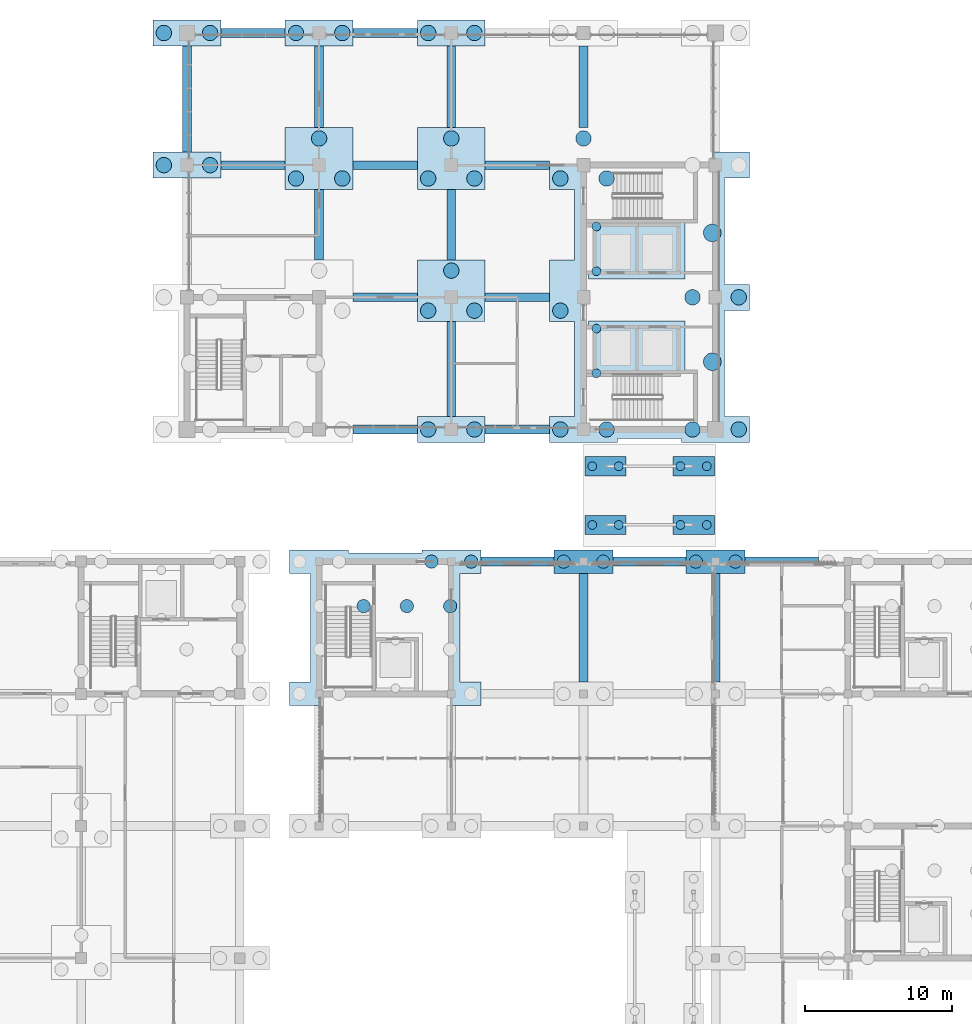
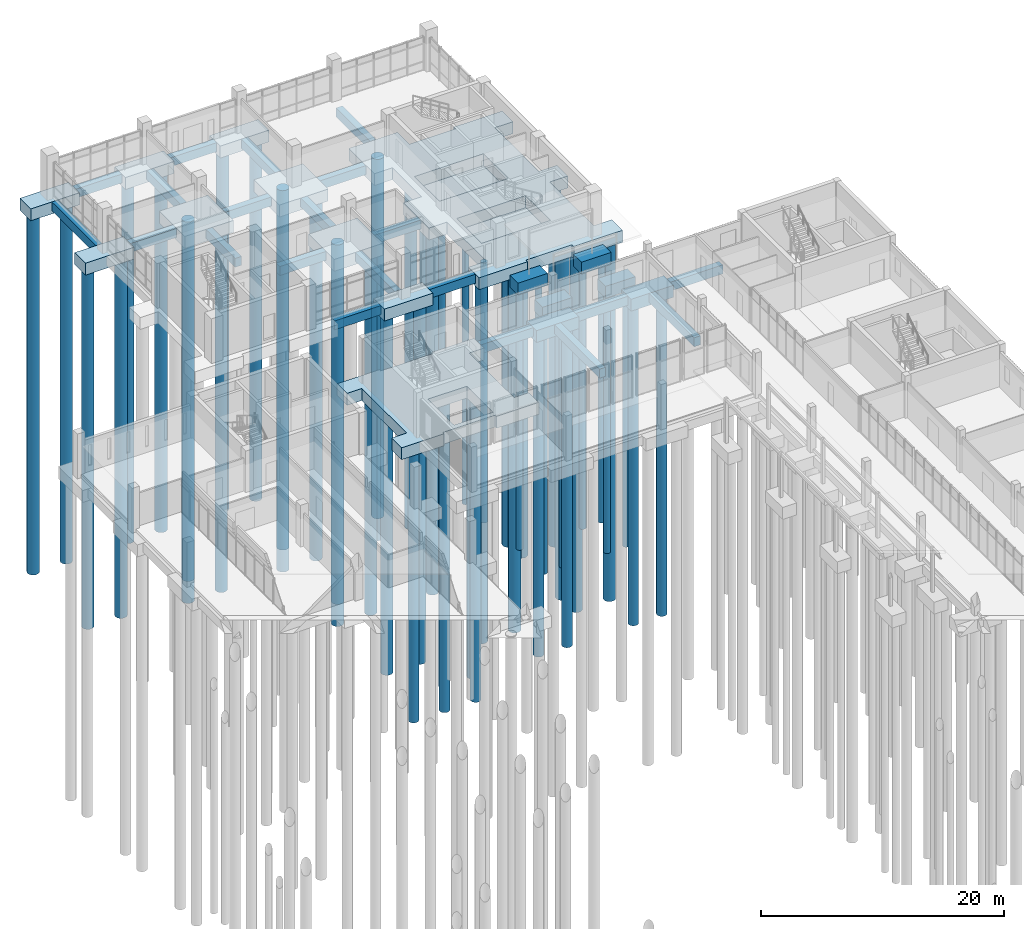
# One storey, part 7 of 106: 52 piles, 39 footings.
"""IFC4 building model written with IfcOpenShell, lengths in metres."""

from ifc_helpers import new_model, si_unit, direction, frame, origin, origin_2d, place, context, subcontext, project, spatial, polyline, circle, outline, extrude, material, material_profile, profile_set, type_object, element, save


model = new_model("IFC4")

# Units and contexts
model_context = context("Model", 3, precision=1e-05, world=origin(), true_north=direction((0.0, 1.0)))
body_context = subcontext(model_context, "Body", "Model", "MODEL_VIEW")
ifc_project = project(units=[si_unit("LENGTHUNIT", "METRE"), si_unit("AREAUNIT", "SQUARE_METRE"), si_unit("VOLUMEUNIT", "CUBIC_METRE"), si_unit("PLANEANGLEUNIT", "RADIAN"), si_unit("MASSUNIT", "GRAM", prefix="KILO")], contexts=[model_context])

# Site, building, storey
site_placement = place(None, origin())
site = spatial("IfcSite", under=ifc_project, at=site_placement, CompositionType="ELEMENT")
building_placement = place(site_placement, origin())
building = spatial("IfcBuilding", under=site, at=building_placement, Name="Merrow Basin Faculty of Sciences", CompositionType="ELEMENT")
storey_placement = place(building_placement, origin())
storey = spatial("IfcBuildingStorey", under=building, at=storey_placement, Name="L00", CompositionType="ELEMENT", Elevation=0.0)

# Piles
ifc_material_1 = material(Name="Concrete C40/50", Category="concrete")
ifc_material_profile_1 = material_profile(ifc_material_1, circle(Radius=0.52490234375, at=origin_2d()))
ifc_profile_set_1 = profile_set([ifc_material_profile_1], Name="Concrete C40/50")
pile_type_1 = type_object("IfcPileType", Name="Bored pile 1050 Concrete C40/50", PredefinedType="BORED", material=ifc_profile_set_1)
for number, where, z_axis, x_axis, name in (
    (1, (16.425048828125, 160.0, -1.39990234375), (0.0, 0.0, -1.0), (1.0, 0.0, 0.0), "BP 145"),
    (2, (16.425048828125, 169.0, -1.39990234375), (0.0, 0.0, -1.0), (1.0, 0.0, 0.0), "BP 146"),
    (3, (19.574951171875, 160.0, -1.39990234375), (0.0, 0.0, -1.0), (1.0, 0.0, 0.0), "BP 166"),
    (4, (19.574951171875, 169.0, -1.39990234375), (0.0, 0.0, -1.0), (1.0, 0.0, 0.0), "BP 167"),
    (5, (25.425048828125, 159.091064453125, -1.39990234375), (0.0, 0.0, -1.0), (1.0, 0.0, 0.0), "BP 217"),
    (6, (25.425048828125, 169.0, -1.39990234375), (0.0, 0.0, -1.0), (1.0, 0.0, 0.0), "BP 218"),
    (7, (27.0, 161.819091796875, -1.39990234375), (0.0, 0.0, -1.0), (1.0, 0.0, 0.0), "BP 230"),
    (8, (28.574951171875, 159.091064453125, -1.39990234375), (0.0, 0.0, -1.0), (1.0, 0.0, 0.0), "BP 247"),
    (9, (28.574951171875, 169.0, -1.39990234375), (0.0, 0.0, -1.0), (1.0, 0.0, 0.0), "BP 248"),
    (10, (34.425048828125, 142.0, -1.39990234375), (0.0, 0.0, -1.0), (1.0, 0.0, 0.0), "BP 272"),
    (11, (34.425048828125, 150.091064453125, -1.39990234375), (0.0, 0.0, -1.0), (1.0, 0.0, 0.0), "BP 273"),
    (12, (34.425048828125, 159.091064453125, -1.39990234375), (0.0, 0.0, -1.0), (1.0, 0.0, 0.0), "BP 274"),
    (13, (34.425048828125, 169.0, -1.39990234375), (0.0, 0.0, -1.0), (1.0, 0.0, 0.0), "BP 275"),
    (14, (36.0, 152.819091796875, -1.39990234375), (0.0, 0.0, -1.0), (1.0, 0.0, 0.0), "BP 300"),
    (15, (36.0, 161.819091796875, -1.39990234375), (0.0, 0.0, -1.0), (1.0, 0.0, 0.0), "BP 301"),
    (16, (37.574951171875, 142.0, -1.39990234375), (0.0, 0.0, -1.0), (1.0, 0.0, 0.0), "BP 305"),
    (17, (37.574951171875, 150.091064453125, -1.39990234375), (0.0, 0.0, -1.0), (1.0, 0.0, 0.0), "BP 306"),
    (18, (37.574951171875, 159.091064453125, -1.39990234375), (0.0, 0.0, -1.0), (1.0, 0.0, 0.0), "BP 307"),
    (19, (37.574951171875, 169.0, -1.39990234375), (0.0, 0.0, -1.0), (1.0, 0.0, 0.0), "BP 308"),
    (20, (43.425048828125, 142.0, -1.39990234375), (0.0, 0.0, -1.0), (1.0, 0.0, 0.0), "BP 323"),
    (21, (43.425048828125, 150.091064453125, -1.39990234375), (0.0, 0.0, -1.0), (1.0, 0.0, 0.0), "BP 324"),
    (22, (43.425048828125, 159.091064453125, -1.39990234375), (0.0, 0.0, -1.0), (1.0, 0.0, 0.0), "BP 325"),
    (23, (45.0, 161.819091796875, -1.39990234375), (0.0, 0.0, -1.0), (1.0, 0.0, 0.0), "BP 352"),
    (24, (46.574951171875, 142.0, -1.39990234375), (0.0, 0.0, -1.0), (1.0, 0.0, 0.0), "BP 358"),
    (25, (46.574951171875, 159.091064453125, -1.39990234375), (0.0, 0.0, -1.0), (1.0, 0.0, 0.0), "BP 359"),
    (26, (52.425048828125, 142.0, -1.39990234375), (0.0, 0.0, -1.0), (1.0, 0.0, 0.0), "BP 383"),
    (27, (52.425048828125, 151.0, -1.39990234375), (0.0, 0.0, -1.0), (1.0, 0.0, 0.0), "BP 384"),
    (28, (55.574951171875, 142.0, -1.39990234375), (0.0, 0.0, -1.0), (1.0, 0.0, 0.0), "BP 432"),
    (29, (55.574951171875, 151.0, -1.39990234375), (0.0, 0.0, -1.0), (1.0, 0.0, 0.0), "BP 433"),
):
    element("IfcPile", number, at=place(storey_placement, frame(where, z_axis=z_axis, x_axis=x_axis)), inside=storey, type_object=pile_type_1, Name=name, PredefinedType="BORED", context=body_context, shape_type="SweptSolid", body=[
        extrude(circle(Radius=0.52490234375, at=origin_2d()), origin(), (0.0, 0.0, 1.0), 36.10009765625),
    ])
ifc_material_2 = material(Name="Concrete C40/50", Category="concrete")
ifc_material_profile_2 = material_profile(ifc_material_2, circle(Radius=0.60009765625, at=origin_2d()))
ifc_profile_set_2 = profile_set([ifc_material_profile_2], Name="Concrete C40/50")
pile_type_2 = type_object("IfcPileType", Name="Bored pile 1200 Concrete C40/50", PredefinedType="BORED", material=ifc_profile_set_2)
for number, where, z_axis, x_axis, name in (
    (30, (53.77001953125, 146.614990234375, -1.39990234375), (0.0, 0.0, -1.0), (1.0, 0.0, 0.0), "BP 414"),
    (31, (53.77001953125, 155.385009765625, -1.39990234375), (0.0, 0.0, -1.0), (1.0, 0.0, 0.0), "BP 415"),
):
    element("IfcPile", number, at=place(storey_placement, frame(where, z_axis=z_axis, x_axis=x_axis)), inside=storey, type_object=pile_type_2, Name=name, PredefinedType="BORED", context=body_context, shape_type="SweptSolid", body=[
        extrude(circle(Radius=0.60009765625, at=origin_2d()), origin(), (0.0, 0.0, 1.0), 38.10009765625),
    ])
ifc_material_3 = material(Name="Concrete C40/50", Category="concrete")
ifc_material_profile_3 = material_profile(ifc_material_3, circle(Radius=0.300048828125, at=origin_2d()))
ifc_profile_set_3 = profile_set([ifc_material_profile_3], Name="Concrete C40/50")
pile_type_3 = type_object("IfcPileType", Name="Bored pile 600 Concrete C40/50", PredefinedType="BORED", material=ifc_profile_set_3)
for number, where, z_axis, x_axis, name in (
    (32, (45.60009765625, 135.5, -1.39990234375), (0.0, 0.0, -1.0), (1.0, 0.0, 0.0), "BP 353"),
    (33, (45.60009765625, 139.5, -1.39990234375), (0.0, 0.0, -1.0), (1.0, 0.0, 0.0), "BP 354"),
    (34, (47.39990234375, 135.5, -1.39990234375), (0.0, 0.0, -1.0), (1.0, 0.0, 0.0), "BP 361"),
    (35, (47.39990234375, 139.5, -1.39990234375), (0.0, 0.0, -1.0), (1.0, 0.0, 0.0), "BP 362"),
    (36, (51.60009765625, 135.5, -1.39990234375), (0.0, 0.0, -1.0), (1.0, 0.0, 0.0), "BP 381"),
    (37, (51.60009765625, 139.5, -1.39990234375), (0.0, 0.0, -1.0), (1.0, 0.0, 0.0), "BP 382"),
    (38, (53.39990234375, 135.5, -1.39990234375), (0.0, 0.0, -1.0), (1.0, 0.0, 0.0), "BP 412"),
    (39, (53.39990234375, 139.5, -1.39990234375), (0.0, 0.0, -1.0), (1.0, 0.0, 0.0), "BP 413"),
    (40, (45.8798828125, 145.830078125, -2.60009765625), (0.0, 0.0, -1.0), (1.0, 0.0, 0.0), "BP pit 528"),
    (41, (45.8798828125, 148.8701171875, -2.60009765625), (0.0, 0.0, -1.0), (1.0, 0.0, 0.0), "BP pit 529"),
    (42, (45.8798828125, 152.780029296875, -2.60009765625), (0.0, 0.0, -1.0), (1.0, 0.0, 0.0), "BP pit 530"),
    (43, (45.8798828125, 155.820068359375, -2.60009765625), (0.0, 0.0, -1.0), (1.0, 0.0, 0.0), "BP pit 531"),
):
    element("IfcPile", number, at=place(storey_placement, frame(where, z_axis=z_axis, x_axis=x_axis)), inside=storey, type_object=pile_type_3, Name=name, PredefinedType="BORED", context=body_context, shape_type="SweptSolid", body=[
        extrude(circle(Radius=0.300048828125, at=origin_2d()), origin(), (0.0, 0.0, 1.0), 26.10009765625),
    ])
ifc_material_4 = material(Name="Concrete C40/50", Category="concrete")
ifc_material_profile_4 = material_profile(ifc_material_4, circle(Radius=0.449951171875, at=origin_2d()))
ifc_profile_set_4 = profile_set([ifc_material_profile_4], Name="Concrete C40/50")
pile_type_4 = type_object("IfcPileType", Name="Bored pile 900 Concrete C40/50", PredefinedType="BORED", material=ifc_profile_set_4)
for number, where, z_axis, x_axis, name in (
    (44, (30.027099609375, 129.972900390625, -1.39990234375), (0.0, 0.0, -1.0), (1.0, 0.0, 0.0), "BP 253"),
    (45, (32.972900390625, 129.972900390625, -1.39990234375), (0.0, 0.0, -1.0), (1.0, 0.0, 0.0), "BP 269"),
    (46, (34.64990234375, 133.0, -1.39990234375), (0.0, 0.0, -1.0), (1.0, 0.0, 0.0), "BP 277"),
    (47, (35.919921875, 129.972900390625, -1.39990234375), (0.0, 0.0, -1.0), (1.0, 0.0, 0.0), "BP 299"),
    (48, (37.35009765625, 133.0, -1.39990234375), (0.0, 0.0, -1.0), (1.0, 0.0, 0.0), "BP 304"),
    (49, (43.64990234375, 133.0, -1.39990234375), (0.0, 0.0, -1.0), (1.0, 0.0, 0.0), "BP 340"),
    (50, (46.35009765625, 133.0, -1.39990234375), (0.0, 0.0, -1.0), (1.0, 0.0, 0.0), "BP 357"),
    (51, (52.64990234375, 133.0, -1.39990234375), (0.0, 0.0, -1.0), (1.0, 0.0, 0.0), "BP 407"),
    (52, (55.35009765625, 133.0, -1.39990234375), (0.0, 0.0, -1.0), (1.0, 0.0, 0.0), "BP 431"),
):
    element("IfcPile", number, at=place(storey_placement, frame(where, z_axis=z_axis, x_axis=x_axis)), inside=storey, type_object=pile_type_4, Name=name, PredefinedType="BORED", context=body_context, shape_type="SweptSolid", body=[
        extrude(circle(Radius=0.449951171875, at=origin_2d()), origin(), (0.0, 0.0, 1.0), 32.10009765625),
    ])

# Footings
ifc_material_5 = material(Name="Concrete C40/50", Category="concrete")
footing_type_1 = type_object("IfcFootingType", Name="Ground beam 600x900 Concrete C40/50", PredefinedType="FOOTING_BEAM", material=ifc_material_5)
footing_1_placement = place(storey_placement, frame((0.0, 0.0, -1.199951171875)))
element("IfcFooting", 53, at=footing_1_placement, inside=storey, type_object=footing_type_1, Name="GB 048", PredefinedType="FOOTING_BEAM", context=body_context, shape_type="SweptSolid", body=[
    extrude(outline(polyline([(38.010009765625, 132.699951171875), (42.989990234375, 132.699951171875), (42.989990234375, 133.300048828125), (38.010009765625, 133.300048828125), (38.010009765625, 132.699951171875)])), origin(), (0.0, 0.0, 1.0), 0.89990234375),
])
footing_2_placement = place(storey_placement, frame((0.0, 0.0, -1.199951171875)))
element("IfcFooting", 54, at=footing_2_placement, inside=storey, type_object=footing_type_1, Name="GB 049", PredefinedType="FOOTING_BEAM", context=body_context, shape_type="SweptSolid", body=[
    extrude(outline(polyline([(47.010009765625, 132.699951171875), (51.989990234375, 132.699951171875), (51.989990234375, 133.300048828125), (47.010009765625, 133.300048828125), (47.010009765625, 132.699951171875)])), origin(), (0.0, 0.0, 1.0), 0.89990234375),
])
footing_3_placement = place(storey_placement, frame((0.0, 0.0, -1.199951171875)))
element("IfcFooting", 55, at=footing_3_placement, inside=storey, type_object=footing_type_1, Name="GB 050", PredefinedType="FOOTING_BEAM", context=body_context, shape_type="SweptSolid", body=[
    extrude(outline(polyline([(56.010009765625, 132.699951171875), (60.989990234375, 132.699951171875), (60.989990234375, 133.300048828125), (56.010009765625, 133.300048828125), (56.010009765625, 132.699951171875)])), origin(), (0.0, 0.0, 1.0), 0.89990234375),
])
footing_4_placement = place(storey_placement, frame((0.0, 0.0, -1.199951171875)))
element("IfcFooting", 56, at=footing_4_placement, inside=storey, type_object=footing_type_1, Name="GB 054", PredefinedType="FOOTING_BEAM", context=body_context, shape_type="SweptSolid", body=[
    extrude(outline(polyline([(44.699951171875, 124.81005859375), (45.300048828125, 124.81005859375), (45.300048828125, 132.18994140625), (44.699951171875, 132.18994140625), (44.699951171875, 124.81005859375)])), origin(), (0.0, 0.0, 1.0), 0.89990234375),
])
footing_5_placement = place(storey_placement, frame((0.0, 0.0, -1.199951171875)))
element("IfcFooting", 57, at=footing_5_placement, inside=storey, type_object=footing_type_1, Name="GB 062", PredefinedType="FOOTING_BEAM", context=body_context, shape_type="SweptSolid", body=[
    extrude(outline(polyline([(53.699951171875, 124.81005859375), (54.300048828125, 124.81005859375), (54.300048828125, 132.18994140625), (53.699951171875, 132.18994140625), (53.699951171875, 124.81005859375)])), origin(), (0.0, 0.0, 1.0), 0.89990234375),
])
footing_6_placement = place(storey_placement, frame((0.0, 0.0, -1.199951171875)))
element("IfcFooting", 58, at=footing_6_placement, inside=storey, type_object=footing_type_1, Name="GB 102", PredefinedType="FOOTING_BEAM", context=body_context, shape_type="SweptSolid", body=[
    extrude(outline(polyline([(29.31005859375, 141.699951171875), (33.68994140625, 141.699951171875), (33.68994140625, 142.300048828125), (29.31005859375, 142.300048828125), (29.31005859375, 141.699951171875)])), origin(), (0.0, 0.0, 1.0), 0.89990234375),
])
footing_7_placement = place(storey_placement, frame((0.0, 0.0, -1.199951171875)))
element("IfcFooting", 59, at=footing_7_placement, inside=storey, type_object=footing_type_1, Name="GB 103", PredefinedType="FOOTING_BEAM", context=body_context, shape_type="SweptSolid", body=[
    extrude(outline(polyline([(38.31005859375, 141.699951171875), (42.68994140625, 141.699951171875), (42.68994140625, 142.300048828125), (38.31005859375, 142.300048828125), (38.31005859375, 141.699951171875)])), origin(), (0.0, 0.0, 1.0), 0.89990234375),
])
footing_8_placement = place(storey_placement, frame((0.0, 0.0, -1.199951171875)))
element("IfcFooting", 60, at=footing_8_placement, inside=storey, type_object=footing_type_1, Name="GB 104", PredefinedType="FOOTING_BEAM", context=body_context, shape_type="SweptSolid", body=[
    extrude(outline(polyline([(29.31005859375, 150.699951171875), (33.68994140625, 150.699951171875), (33.68994140625, 151.300048828125), (29.31005859375, 151.300048828125), (29.31005859375, 150.699951171875)])), origin(), (0.0, 0.0, 1.0), 0.89990234375),
])
footing_9_placement = place(storey_placement, frame((0.0, 0.0, -1.199951171875)))
element("IfcFooting", 61, at=footing_9_placement, inside=storey, type_object=footing_type_1, Name="GB 105", PredefinedType="FOOTING_BEAM", context=body_context, shape_type="SweptSolid", body=[
    extrude(outline(polyline([(38.31005859375, 150.699951171875), (42.68994140625, 150.699951171875), (42.68994140625, 151.300048828125), (38.31005859375, 151.300048828125), (38.31005859375, 150.699951171875)])), origin(), (0.0, 0.0, 1.0), 0.89990234375),
])
footing_10_placement = place(storey_placement, frame((0.0, 0.0, -1.199951171875)))
element("IfcFooting", 62, at=footing_10_placement, inside=storey, type_object=footing_type_1, Name="GB 106", PredefinedType="FOOTING_BEAM", context=body_context, shape_type="SweptSolid", body=[
    extrude(outline(polyline([(20.31005859375, 159.699951171875), (24.68994140625, 159.699951171875), (24.68994140625, 160.300048828125), (20.31005859375, 160.300048828125), (20.31005859375, 159.699951171875)])), origin(), (0.0, 0.0, 1.0), 0.89990234375),
])
footing_11_placement = place(storey_placement, frame((0.0, 0.0, -1.199951171875)))
element("IfcFooting", 63, at=footing_11_placement, inside=storey, type_object=footing_type_1, Name="GB 107", PredefinedType="FOOTING_BEAM", context=body_context, shape_type="SweptSolid", body=[
    extrude(outline(polyline([(29.31005859375, 159.699951171875), (33.68994140625, 159.699951171875), (33.68994140625, 160.300048828125), (29.31005859375, 160.300048828125), (29.31005859375, 159.699951171875)])), origin(), (0.0, 0.0, 1.0), 0.89990234375),
])
footing_12_placement = place(storey_placement, frame((0.0, 0.0, -1.199951171875)))
element("IfcFooting", 64, at=footing_12_placement, inside=storey, type_object=footing_type_1, Name="GB 108", PredefinedType="FOOTING_BEAM", context=body_context, shape_type="SweptSolid", body=[
    extrude(outline(polyline([(38.31005859375, 159.699951171875), (42.68994140625, 159.699951171875), (42.68994140625, 160.300048828125), (38.31005859375, 160.300048828125), (38.31005859375, 159.699951171875)])), origin(), (0.0, 0.0, 1.0), 0.89990234375),
])
footing_13_placement = place(storey_placement, frame((0.0, 0.0, -1.199951171875)))
element("IfcFooting", 65, at=footing_13_placement, inside=storey, type_object=footing_type_1, Name="GB 109", PredefinedType="FOOTING_BEAM", context=body_context, shape_type="SweptSolid", body=[
    extrude(outline(polyline([(20.31005859375, 168.699951171875), (24.68994140625, 168.699951171875), (24.68994140625, 169.300048828125), (20.31005859375, 169.300048828125), (20.31005859375, 168.699951171875)])), origin(), (0.0, 0.0, 1.0), 0.89990234375),
])
footing_14_placement = place(storey_placement, frame((0.0, 0.0, -1.199951171875)))
element("IfcFooting", 66, at=footing_14_placement, inside=storey, type_object=footing_type_1, Name="GB 110", PredefinedType="FOOTING_BEAM", context=body_context, shape_type="SweptSolid", body=[
    extrude(outline(polyline([(29.31005859375, 168.699951171875), (33.68994140625, 168.699951171875), (33.68994140625, 169.300048828125), (29.31005859375, 169.300048828125), (29.31005859375, 168.699951171875)])), origin(), (0.0, 0.0, 1.0), 0.89990234375),
])
footing_15_placement = place(storey_placement, frame((0.0, 0.0, -1.199951171875)))
element("IfcFooting", 67, at=footing_15_placement, inside=storey, type_object=footing_type_1, Name="GB 114", PredefinedType="FOOTING_BEAM", context=body_context, shape_type="SweptSolid", body=[
    extrude(outline(polyline([(17.699951171875, 160.885009765625), (18.300048828125, 160.885009765625), (18.300048828125, 168.114990234375), (17.699951171875, 168.114990234375), (17.699951171875, 160.885009765625)])), origin(), (0.0, 0.0, 1.0), 0.89990234375),
])
footing_16_placement = place(storey_placement, frame((0.0, 0.0, -1.199951171875)))
element("IfcFooting", 68, at=footing_16_placement, inside=storey, type_object=footing_type_1, Name="GB 115", PredefinedType="FOOTING_BEAM", context=body_context, shape_type="SweptSolid", body=[
    extrude(outline(polyline([(26.699951171875, 153.553955078125), (27.300048828125, 153.553955078125), (27.300048828125, 158.35595703125), (26.699951171875, 158.35595703125), (26.699951171875, 153.553955078125)])), origin(), (0.0, 0.0, 1.0), 0.89990234375),
])
footing_17_placement = place(storey_placement, frame((0.0, 0.0, -1.199951171875)))
element("IfcFooting", 69, at=footing_17_placement, inside=storey, type_object=footing_type_1, Name="GB 116", PredefinedType="FOOTING_BEAM", context=body_context, shape_type="SweptSolid", body=[
    extrude(outline(polyline([(26.699951171875, 162.553955078125), (27.300048828125, 162.553955078125), (27.300048828125, 168.114990234375), (26.699951171875, 168.114990234375), (26.699951171875, 162.553955078125)])), origin(), (0.0, 0.0, 1.0), 0.89990234375),
])
footing_18_placement = place(storey_placement, frame((0.0, 0.0, -1.199951171875)))
element("IfcFooting", 70, at=footing_18_placement, inside=storey, type_object=footing_type_1, Name="GB 117", PredefinedType="FOOTING_BEAM", context=body_context, shape_type="SweptSolid", body=[
    extrude(outline(polyline([(35.699951171875, 142.885009765625), (36.300048828125, 142.885009765625), (36.300048828125, 149.35595703125), (35.699951171875, 149.35595703125), (35.699951171875, 142.885009765625)])), origin(), (0.0, 0.0, 1.0), 0.89990234375),
])
footing_19_placement = place(storey_placement, frame((0.0, 0.0, -1.199951171875)))
element("IfcFooting", 71, at=footing_19_placement, inside=storey, type_object=footing_type_1, Name="GB 118", PredefinedType="FOOTING_BEAM", context=body_context, shape_type="SweptSolid", body=[
    extrude(outline(polyline([(35.699951171875, 153.553955078125), (36.300048828125, 153.553955078125), (36.300048828125, 158.35595703125), (35.699951171875, 158.35595703125), (35.699951171875, 153.553955078125)])), origin(), (0.0, 0.0, 1.0), 0.89990234375),
])
footing_20_placement = place(storey_placement, frame((0.0, 0.0, -1.199951171875)))
element("IfcFooting", 72, at=footing_20_placement, inside=storey, type_object=footing_type_1, Name="GB 119", PredefinedType="FOOTING_BEAM", context=body_context, shape_type="SweptSolid", body=[
    extrude(outline(polyline([(35.699951171875, 162.553955078125), (36.300048828125, 162.553955078125), (36.300048828125, 168.114990234375), (35.699951171875, 168.114990234375), (35.699951171875, 162.553955078125)])), origin(), (0.0, 0.0, 1.0), 0.89990234375),
])
footing_21_placement = place(storey_placement, frame((0.0, 0.0, -1.199951171875)))
element("IfcFooting", 73, at=footing_21_placement, inside=storey, type_object=footing_type_1, Name="GB 120", PredefinedType="FOOTING_BEAM", context=body_context, shape_type="SweptSolid", body=[
    extrude(outline(polyline([(44.699951171875, 162.553955078125), (45.300048828125, 162.553955078125), (45.300048828125, 168.114990234375), (44.699951171875, 168.114990234375), (44.699951171875, 162.553955078125)])), origin(), (0.0, 0.0, 1.0), 0.89990234375),
])
ifc_material_6 = material(Name="Concrete C40/50", Category="concrete")
footing_type_2 = type_object("IfcFootingType", Name="Lift pit raft 6550x4100 Concrete C40/50", PredefinedType="PILE_CAP", material=ifc_material_6)
footing_22_placement = place(storey_placement, frame((0.0, 0.0, -2.699951171875)))
element("IfcFooting", 74, at=footing_22_placement, inside=storey, type_object=footing_type_2, Name="Lift pit raft 7", PredefinedType="PILE_CAP", context=body_context, shape_type="SweptSolid", body=[
    extrude(outline(polyline([(49.050048828125, 149.39990234375), (51.89990234375, 149.39990234375), (51.89990234375, 145.300048828125), (49.050048828125, 145.300048828125), (48.199951171875, 145.300048828125), (45.35009765625, 145.300048828125), (45.35009765625, 149.39990234375), (48.199951171875, 149.39990234375), (49.050048828125, 149.39990234375)])), origin(), (0.0, 0.0, 1.0), 1.199951171875),
])
footing_23_placement = place(storey_placement, frame((0.0, 0.0, -2.699951171875)))
element("IfcFooting", 75, at=footing_23_placement, inside=storey, type_object=footing_type_2, Name="Lift pit raft 8", PredefinedType="PILE_CAP", context=body_context, shape_type="SweptSolid", body=[
    extrude(outline(polyline([(48.199951171875, 152.25), (45.35009765625, 152.25), (45.35009765625, 156.35009765625), (48.199951171875, 156.35009765625), (49.050048828125, 156.35009765625), (51.89990234375, 156.35009765625), (51.89990234375, 152.25), (49.050048828125, 152.25), (48.199951171875, 152.25)])), origin(), (0.0, 0.0, 1.0), 1.199951171875),
])
ifc_material_7 = material(Name="Concrete C40/50", Category="concrete")
footing_type_3 = type_object("IfcFootingType", Name="Pile cap 2 piles 2820x1320 Concrete C40/50", PredefinedType="PILE_CAP", material=ifc_material_7)
footing_24_placement = place(storey_placement, frame((0.0, 0.0, -1.5)))
element("IfcFooting", 76, at=footing_24_placement, inside=storey, type_object=footing_type_3, Name="PC1 080", PredefinedType="PILE_CAP", context=body_context, shape_type="SweptSolid", body=[
    extrude(outline(polyline([(45.090087890625, 136.159912109375), (47.909912109375, 136.159912109375), (47.909912109375, 134.840087890625), (45.090087890625, 134.840087890625), (45.090087890625, 136.159912109375)])), origin(), (0.0, 0.0, 1.0), 1.199951171875),
])
footing_25_placement = place(storey_placement, frame((0.0, 0.0, -1.5)))
element("IfcFooting", 77, at=footing_25_placement, inside=storey, type_object=footing_type_3, Name="PC1 081", PredefinedType="PILE_CAP", context=body_context, shape_type="SweptSolid", body=[
    extrude(outline(polyline([(45.090087890625, 138.840087890625), (45.090087890625, 140.159912109375), (47.909912109375, 140.159912109375), (47.909912109375, 138.840087890625), (45.090087890625, 138.840087890625)])), origin(), (0.0, 0.0, 1.0), 1.199951171875),
])
footing_26_placement = place(storey_placement, frame((0.0, 0.0, -1.5)))
element("IfcFooting", 78, at=footing_26_placement, inside=storey, type_object=footing_type_3, Name="PC1 090", PredefinedType="PILE_CAP", context=body_context, shape_type="SweptSolid", body=[
    extrude(outline(polyline([(51.090087890625, 136.159912109375), (53.909912109375, 136.159912109375), (53.909912109375, 134.840087890625), (51.090087890625, 134.840087890625), (51.090087890625, 136.159912109375)])), origin(), (0.0, 0.0, 1.0), 1.199951171875),
])
footing_27_placement = place(storey_placement, frame((0.0, 0.0, -1.5)))
element("IfcFooting", 79, at=footing_27_placement, inside=storey, type_object=footing_type_3, Name="PC1 091", PredefinedType="PILE_CAP", context=body_context, shape_type="SweptSolid", body=[
    extrude(outline(polyline([(51.090087890625, 140.159912109375), (53.909912109375, 140.159912109375), (53.909912109375, 138.840087890625), (51.090087890625, 138.840087890625), (51.090087890625, 140.159912109375)])), origin(), (0.0, 0.0, 1.0), 1.199951171875),
])
ifc_material_8 = material(Name="Concrete C40/50", Category="concrete")
footing_type_4 = type_object("IfcFootingType", Name="Pile cap 2 piles 4020x1620 Concrete C40/50", PredefinedType="PILE_CAP", material=ifc_material_8)
footing_28_placement = place(storey_placement, frame((0.0, 0.0, -1.5)))
element("IfcFooting", 80, at=footing_28_placement, inside=storey, type_object=footing_type_4, Name="PC13 075", PredefinedType="PILE_CAP", context=body_context, shape_type="SweptSolid", body=[
    extrude(outline(polyline([(42.989990234375, 133.81005859375), (47.010009765625, 133.81005859375), (47.010009765625, 132.18994140625), (42.989990234375, 132.18994140625), (42.989990234375, 133.81005859375)])), origin(), (0.0, 0.0, 1.0), 1.199951171875),
])
footing_29_placement = place(storey_placement, frame((0.0, 0.0, -1.5)))
element("IfcFooting", 81, at=footing_29_placement, inside=storey, type_object=footing_type_4, Name="PC13 106", PredefinedType="PILE_CAP", context=body_context, shape_type="SweptSolid", body=[
    extrude(outline(polyline([(51.989990234375, 133.81005859375), (56.010009765625, 133.81005859375), (56.010009765625, 132.18994140625), (51.989990234375, 132.18994140625), (51.989990234375, 133.81005859375)])), origin(), (0.0, 0.0, 1.0), 1.199951171875),
])
ifc_material_9 = material(Name="Concrete C40/50", Category="concrete")
footing_type_5 = type_object("IfcFootingType", Name="Pile cap 2 piles 4620x1770 Concrete C40/50", PredefinedType="PILE_CAP", material=ifc_material_9)
footing_30_placement = place(storey_placement, frame((0.0, 0.0, -1.5)))
element("IfcFooting", 82, at=footing_30_placement, inside=storey, type_object=footing_type_5, Name="PC12 031", PredefinedType="PILE_CAP", context=body_context, shape_type="SweptSolid", body=[
    extrude(outline(polyline([(15.68994140625, 160.885009765625), (20.31005859375, 160.885009765625), (20.31005859375, 159.114990234375), (15.68994140625, 159.114990234375), (15.68994140625, 160.885009765625)])), origin(), (0.0, 0.0, 1.0), 1.199951171875),
])
footing_31_placement = place(storey_placement, frame((0.0, 0.0, -1.5)))
element("IfcFooting", 83, at=footing_31_placement, inside=storey, type_object=footing_type_5, Name="PC12 032", PredefinedType="PILE_CAP", context=body_context, shape_type="SweptSolid", body=[
    extrude(outline(polyline([(15.68994140625, 168.114990234375), (15.68994140625, 169.885009765625), (20.31005859375, 169.885009765625), (20.31005859375, 168.114990234375), (15.68994140625, 168.114990234375)])), origin(), (0.0, 0.0, 1.0), 1.199951171875),
])
footing_32_placement = place(storey_placement, frame((0.0, 0.0, -1.5)))
element("IfcFooting", 84, at=footing_32_placement, inside=storey, type_object=footing_type_5, Name="PC12 045", PredefinedType="PILE_CAP", context=body_context, shape_type="SweptSolid", body=[
    extrude(outline(polyline([(24.68994140625, 169.885009765625), (29.31005859375, 169.885009765625), (29.31005859375, 168.114990234375), (24.68994140625, 168.114990234375), (24.68994140625, 169.885009765625)])), origin(), (0.0, 0.0, 1.0), 1.199951171875),
])
footing_33_placement = place(storey_placement, frame((0.0, 0.0, -1.5)))
element("IfcFooting", 85, at=footing_33_placement, inside=storey, type_object=footing_type_5, Name="PC12 051", PredefinedType="PILE_CAP", context=body_context, shape_type="SweptSolid", body=[
    extrude(outline(polyline([(33.68994140625, 142.885009765625), (38.31005859375, 142.885009765625), (38.31005859375, 141.114990234375), (33.68994140625, 141.114990234375), (33.68994140625, 142.885009765625)])), origin(), (0.0, 0.0, 1.0), 1.199951171875),
])
footing_34_placement = place(storey_placement, frame((0.0, 0.0, -1.5)))
element("IfcFooting", 86, at=footing_34_placement, inside=storey, type_object=footing_type_5, Name="PC12 054", PredefinedType="PILE_CAP", context=body_context, shape_type="SweptSolid", body=[
    extrude(outline(polyline([(33.68994140625, 169.885009765625), (38.31005859375, 169.885009765625), (38.31005859375, 168.114990234375), (33.68994140625, 168.114990234375), (33.68994140625, 169.885009765625)])), origin(), (0.0, 0.0, 1.0), 1.199951171875),
])
ifc_material_10 = material(Name="Concrete C40/50", Category="concrete")
footing_type_6 = type_object("IfcFootingType", Name="Pile cap 3 piles 4620x4198 Concrete C40/50", PredefinedType="PILE_CAP", material=ifc_material_10)
footing_35_placement = place(storey_placement, frame((0.0, 0.0, -1.5)))
element("IfcFooting", 87, at=footing_35_placement, inside=storey, type_object=footing_type_6, Name="PC14 044", PredefinedType="PILE_CAP", context=body_context, shape_type="SweptSolid", body=[
    extrude(outline(polyline([(24.68994140625, 162.5537109375), (29.31005859375, 162.5537109375), (29.31005859375, 158.355712890625), (24.68994140625, 158.355712890625), (24.68994140625, 162.5537109375)])), origin(), (0.0, 0.0, 1.0), 1.199951171875),
])
footing_36_placement = place(storey_placement, frame((0.0, 0.0, -1.5)))
element("IfcFooting", 88, at=footing_36_placement, inside=storey, type_object=footing_type_6, Name="PC14 052", PredefinedType="PILE_CAP", context=body_context, shape_type="SweptSolid", body=[
    extrude(outline(polyline([(33.68994140625, 153.5537109375), (38.31005859375, 153.5537109375), (38.31005859375, 149.355712890625), (33.68994140625, 149.355712890625), (33.68994140625, 153.5537109375)])), origin(), (0.0, 0.0, 1.0), 1.199951171875),
])
footing_37_placement = place(storey_placement, frame((0.0, 0.0, -1.5)))
element("IfcFooting", 89, at=footing_37_placement, inside=storey, type_object=footing_type_6, Name="PC14 053", PredefinedType="PILE_CAP", context=body_context, shape_type="SweptSolid", body=[
    extrude(outline(polyline([(33.68994140625, 158.355712890625), (33.68994140625, 162.5537109375), (38.31005859375, 162.5537109375), (38.31005859375, 158.355712890625), (33.68994140625, 158.355712890625)])), origin(), (0.0, 0.0, 1.0), 1.199951171875),
])
ifc_material_11 = material(Name="Concrete C40/50", Category="concrete")
footing_type_7 = type_object("IfcFootingType", Name="Pile raft 47 Concrete C40/50", PredefinedType="PILE_CAP", material=ifc_material_11)
footing_38_placement = place(storey_placement, frame((0.0, 0.0, -1.5)))
element("IfcFooting", 90, at=footing_38_placement, inside=storey, type_object=footing_type_7, Name="PC15 047", PredefinedType="PILE_CAP", context=body_context, shape_type="SweptSolid", body=[
    extrude(outline(polyline([(24.989990234375, 132.18994140625), (24.989990234375, 133.81005859375), (29.010009765625, 133.81005859375), (29.010009765625, 133.60009765625), (33.989990234375, 133.60009765625), (33.989990234375, 133.81005859375), (38.010009765625, 133.81005859375), (38.010009765625, 132.18994140625), (36.60009765625, 132.18994140625), (36.60009765625, 124.81005859375), (38.010009765625, 124.81005859375), (38.010009765625, 123.18994140625), (33.989990234375, 123.18994140625), (33.989990234375, 123.39990234375), (29.010009765625, 123.39990234375), (29.010009765625, 123.18994140625), (24.989990234375, 123.18994140625), (24.989990234375, 124.81005859375), (26.39990234375, 124.81005859375), (26.39990234375, 132.18994140625), (24.989990234375, 132.18994140625)]), holes=[polyline([(34.050048828125, 128.14990234375), (30.35009765625, 128.14990234375), (30.35009765625, 123.85009765625), (33.989990234375, 123.85009765625), (34.050048828125, 123.85009765625), (34.050048828125, 124.81005859375), (34.050048828125, 128.14990234375)])]), origin(), (0.0, 0.0, 1.0), 1.199951171875),
])
ifc_material_12 = material(Name="Concrete C40/50", Category="concrete")
footing_type_8 = type_object("IfcFootingType", Name="Pile raft 65 Concrete C40/50", PredefinedType="PILE_CAP", material=ifc_material_12)
footing_39_placement = place(storey_placement, frame((0.0, 0.0, -1.5)))
element("IfcFooting", 91, at=footing_39_placement, inside=storey, type_object=footing_type_8, Name="PC16 065", PredefinedType="PILE_CAP", context=body_context, shape_type="SweptSolid", body=[
    extrude(outline(polyline([(42.68994140625, 142.885009765625), (44.39990234375, 142.885009765625), (44.39990234375, 149.355712890625), (42.68994140625, 149.355712890625), (42.68994140625, 153.5537109375), (44.39990234375, 153.5537109375), (44.39990234375, 158.355712890625), (42.68994140625, 158.355712890625), (42.68994140625, 162.5537109375), (47.31005859375, 162.5537109375), (47.31005859375, 160.60009765625), (51.68994140625, 160.60009765625), (51.68994140625, 160.885009765625), (56.31005859375, 160.885009765625), (56.31005859375, 159.114990234375), (54.60009765625, 159.114990234375), (54.60009765625, 151.885009765625), (56.31005859375, 151.885009765625), (56.31005859375, 150.114990234375), (54.60009765625, 150.114990234375), (54.60009765625, 142.885009765625), (56.31005859375, 142.885009765625), (56.31005859375, 141.114990234375), (51.68994140625, 141.114990234375), (51.68994140625, 141.39990234375), (47.31005859375, 141.39990234375), (47.31005859375, 141.114990234375), (42.68994140625, 141.114990234375), (42.68994140625, 142.885009765625)]), holes=[polyline([(49.050048828125, 152.25), (51.89990234375, 152.25), (51.89990234375, 156.35009765625), (49.050048828125, 156.35009765625), (48.199951171875, 156.35009765625), (45.35009765625, 156.35009765625), (45.35009765625, 153.5537109375), (45.35009765625, 152.25), (47.31005859375, 152.25), (48.199951171875, 152.25), (49.050048828125, 152.25)]), polyline([(45.35009765625, 145.300048828125), (48.199951171875, 145.300048828125), (49.050048828125, 145.300048828125), (51.89990234375, 145.300048828125), (51.89990234375, 149.39990234375), (49.050048828125, 149.39990234375), (48.199951171875, 149.39990234375), (47.31005859375, 149.39990234375), (45.35009765625, 149.39990234375), (45.35009765625, 149.355712890625), (45.35009765625, 145.300048828125)])]), origin(), (0.0, 0.0, 1.0), 1.199951171875),
])

save(model, "model.ifc")
